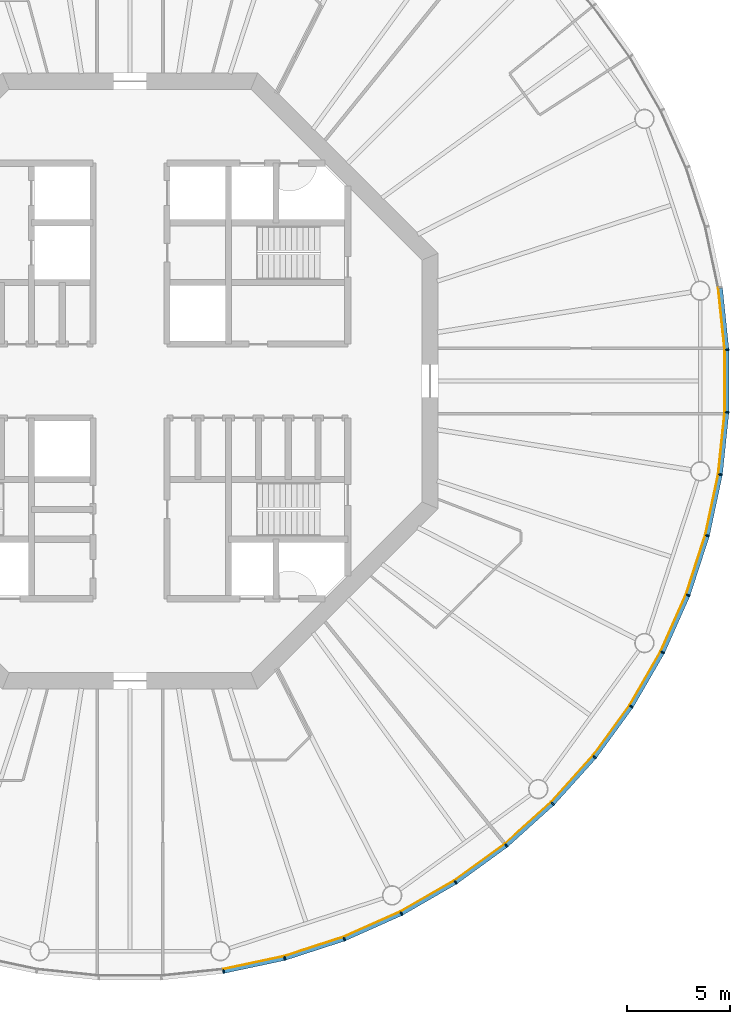
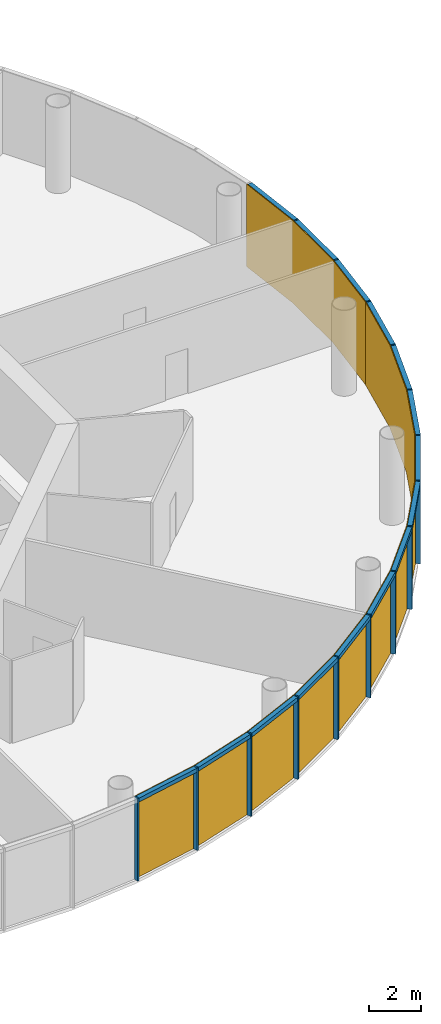
# One storey, part 9 of 13: 30 members, 5 curtain walls.
"""IFC4 building model written with IfcOpenShell, lengths in metres."""

from ifc_helpers import new_model, si_unit, direction, frame, origin, origin_2d, place, context, subcontext, project, spatial, polyline, rectangle, outline, extrude, material, layer, layer_set, material_profile, profile_set, type_object, element, aggregate, save


model = new_model("IFC4")

# Units and contexts
model_context = context("Model", 3, precision=1e-05, world=origin(), true_north=direction((0.0, 1.0)))
body_context = subcontext(model_context, "Body", "Model", "MODEL_VIEW")
ifc_project = project(units=[si_unit("LENGTHUNIT", "METRE"), si_unit("AREAUNIT", "SQUARE_METRE"), si_unit("VOLUMEUNIT", "CUBIC_METRE"), si_unit("PLANEANGLEUNIT", "RADIAN"), si_unit("MASSUNIT", "GRAM", prefix="KILO")], contexts=[model_context])

# Member
ifc_material_1 = material(Name="Anodised aluminium", Category="aluminium")
ifc_material_profile_1 = material_profile(ifc_material_1, rectangle(XDim=0.06494140625, YDim=0.195068359375, at=origin_2d()), Name="Mullion 65 x 195 mm anodised aluminium")
ifc_profile_set_1 = profile_set([ifc_material_profile_1], Name="Anodised aluminium")
member_type_1 = type_object("IfcMemberType", Name="Mullion 65 x 195 mm anodised aluminium", PredefinedType="MULLION", material=ifc_profile_set_1)
site_placement = place(None, origin())
building_placement = place(site_placement, origin())
storey_placement = place(building_placement, frame((0.0, 0.0, 286.0)))
member_1_placement = place(storey_placement, frame((94.5517578125, 51.2607421875, 0.0), z_axis=(0.0, 0.0, 1.0), x_axis=(0.987688340595, 0.15643446504, 0.0)))
member_1 = element("IfcMember", 1, at=member_1_placement, type_object=member_type_1, Name="MULLION L65-45", PredefinedType="MULLION", context=body_context, shape_type="SweptSolid", body=[
    extrude(rectangle(XDim=0.06494140625, YDim=0.195068359375, at=origin_2d()), origin(), (0.0, 0.0, 1.0), 3.85009765625),
])

member_2_placement = place(storey_placement, frame((97.531005859375, 51.89404296875, 0.0), z_axis=(0.0, 0.0, 1.0), x_axis=(0.965925826289, 0.258819045103, 0.0)))
member_2 = element("IfcMember", 2, at=member_2_placement, type_object=member_type_1, Name="MULLION L65-46", PredefinedType="MULLION", context=body_context, shape_type="SweptSolid", body=[
    extrude(rectangle(XDim=0.06494140625, YDim=0.195068359375, at=origin_2d()), origin(), (0.0, 0.0, 1.0), 3.85009765625),
])

member_3_placement = place(storey_placement, frame((100.427490234375, 52.835205078125, 0.0), z_axis=(0.0, 0.0, 1.0), x_axis=(0.933580426497, 0.358367949545, 0.0)))
member_3 = element("IfcMember", 3, at=member_3_placement, type_object=member_type_1, Name="MULLION L65-47", PredefinedType="MULLION", context=body_context, shape_type="SweptSolid", body=[
    extrude(rectangle(XDim=0.06494140625, YDim=0.195068359375, at=origin_2d()), origin(), (0.0, 0.0, 1.0), 3.85009765625),
])

member_4_placement = place(storey_placement, frame((103.2099609375, 54.073974609375, 0.0), z_axis=(0.0, 0.0, 1.0), x_axis=(0.891006524188, 0.45399049974, 0.0)))
member_4 = element("IfcMember", 4, at=member_4_placement, type_object=member_type_1, Name="MULLION L65-48", PredefinedType="MULLION", context=body_context, shape_type="SweptSolid", body=[
    extrude(rectangle(XDim=0.06494140625, YDim=0.195068359375, at=origin_2d()), origin(), (0.0, 0.0, 1.0), 3.85009765625),
])

member_5_placement = place(storey_placement, frame((105.84765625, 55.5966796875, 0.0), z_axis=(0.0, 0.0, 1.0), x_axis=(0.838670567945, 0.544639035015, 0.0)))
member_5 = element("IfcMember", 5, at=member_5_placement, type_object=member_type_1, Name="MULLION L65-49", PredefinedType="MULLION", context=body_context, shape_type="SweptSolid", body=[
    extrude(rectangle(XDim=0.06494140625, YDim=0.195068359375, at=origin_2d()), origin(), (0.0, 0.0, 1.0), 3.85009765625),
])

member_6_placement = place(storey_placement, frame((108.311767578125, 57.386962890625, 0.0), z_axis=(0.0, 0.0, 1.0), x_axis=(0.777145961457, 0.62932039105, 0.0)))
member_6 = element("IfcMember", 6, at=member_6_placement, type_object=member_type_1, Name="MULLION L65-50", PredefinedType="MULLION", context=body_context, shape_type="SweptSolid", body=[
    extrude(rectangle(XDim=0.06494140625, YDim=0.195068359375, at=origin_2d()), origin(), (0.0, 0.0, 1.0), 3.85009765625),
])

member_7_placement = place(storey_placement, frame((110.574951171875, 59.425048828125, 0.0), z_axis=(0.0, 0.0, 1.0), x_axis=(0.707106781187, 0.707106781187, 0.0)))
member_7 = element("IfcMember", 7, at=member_7_placement, type_object=member_type_1, Name="MULLION L65-51", PredefinedType="MULLION", context=body_context, shape_type="SweptSolid", body=[
    extrude(rectangle(XDim=0.06494140625, YDim=0.195068359375, at=origin_2d()), origin(), (0.0, 0.0, 1.0), 3.85009765625),
])

member_8_placement = place(storey_placement, frame((112.613037109375, 61.688232421875, 0.0), z_axis=(0.0, 0.0, 1.0), x_axis=(0.62932039105, 0.777145961457, 0.0)))
member_8 = element("IfcMember", 8, at=member_8_placement, type_object=member_type_1, Name="MULLION L65-52", PredefinedType="MULLION", context=body_context, shape_type="SweptSolid", body=[
    extrude(rectangle(XDim=0.06494140625, YDim=0.195068359375, at=origin_2d()), origin(), (0.0, 0.0, 1.0), 3.85009765625),
])

member_9_placement = place(storey_placement, frame((114.4033203125, 64.15234375, 0.0), z_axis=(0.0, 0.0, 1.0), x_axis=(0.544639035015, 0.838670567945, 0.0)))
member_9 = element("IfcMember", 9, at=member_9_placement, type_object=member_type_1, Name="MULLION L65-53", PredefinedType="MULLION", context=body_context, shape_type="SweptSolid", body=[
    extrude(rectangle(XDim=0.06494140625, YDim=0.195068359375, at=origin_2d()), origin(), (0.0, 0.0, 1.0), 3.85009765625),
])

member_10_placement = place(storey_placement, frame((115.926025390625, 66.7900390625, 0.0), z_axis=(0.0, 0.0, 1.0), x_axis=(0.45399049974, 0.891006524188, 0.0)))
member_10 = element("IfcMember", 10, at=member_10_placement, type_object=member_type_1, Name="MULLION L65-54", PredefinedType="MULLION", context=body_context, shape_type="SweptSolid", body=[
    extrude(rectangle(XDim=0.06494140625, YDim=0.195068359375, at=origin_2d()), origin(), (0.0, 0.0, 1.0), 3.85009765625),
])

member_11_placement = place(storey_placement, frame((117.164794921875, 69.572509765625, 0.0), z_axis=(0.0, 0.0, 1.0), x_axis=(0.358367949545, 0.933580426497, 0.0)))
member_11 = element("IfcMember", 11, at=member_11_placement, type_object=member_type_1, Name="MULLION L65-55", PredefinedType="MULLION", context=body_context, shape_type="SweptSolid", body=[
    extrude(rectangle(XDim=0.06494140625, YDim=0.195068359375, at=origin_2d()), origin(), (0.0, 0.0, 1.0), 3.85009765625),
])

member_12_placement = place(storey_placement, frame((118.10595703125, 72.468994140625, 0.0), z_axis=(0.0, 0.0, 1.0), x_axis=(0.258819045103, 0.965925826289, 0.0)))
member_12 = element("IfcMember", 12, at=member_12_placement, type_object=member_type_1, Name="MULLION L65-56", PredefinedType="MULLION", context=body_context, shape_type="SweptSolid", body=[
    extrude(rectangle(XDim=0.06494140625, YDim=0.195068359375, at=origin_2d()), origin(), (0.0, 0.0, 1.0), 3.85009765625),
])

member_13_placement = place(storey_placement, frame((118.7392578125, 75.4482421875, 0.0), z_axis=(0.0, 0.0, 1.0), x_axis=(0.15643446504, 0.987688340595, 0.0)))
member_13 = element("IfcMember", 13, at=member_13_placement, type_object=member_type_1, Name="MULLION L65-57", PredefinedType="MULLION", context=body_context, shape_type="SweptSolid", body=[
    extrude(rectangle(XDim=0.06494140625, YDim=0.195068359375, at=origin_2d()), origin(), (0.0, 0.0, 1.0), 3.85009765625),
])

member_14_placement = place(storey_placement, frame((119.0576171875, 78.47705078125, 0.0), z_axis=(0.0, 0.0, 1.0), x_axis=(0.052335956243, 0.998629534755, 0.0)))
member_14 = element("IfcMember", 14, at=member_14_placement, type_object=member_type_1, Name="MULLION L65-58", PredefinedType="MULLION", context=body_context, shape_type="SweptSolid", body=[
    extrude(rectangle(XDim=0.06494140625, YDim=0.195068359375, at=origin_2d()), origin(), (0.0, 0.0, 1.0), 3.85009765625),
])

member_15_placement = place(storey_placement, frame((119.0576171875, 81.52294921875, 0.0), z_axis=(0.0, 0.0, 1.0), x_axis=(-0.052335956243, 0.998629534755, 0.0)))
member_15 = element("IfcMember", 15, at=member_15_placement, type_object=member_type_1, Name="MULLION L65-59", PredefinedType="MULLION", context=body_context, shape_type="SweptSolid", body=[
    extrude(rectangle(XDim=0.06494140625, YDim=0.195068359375, at=origin_2d()), origin(), (0.0, 0.0, 1.0), 3.85009765625),
])

ifc_material_2 = material(Name="Anodised aluminium", Category="aluminium")
ifc_material_profile_2 = material_profile(ifc_material_2, rectangle(XDim=0.195068359375, YDim=0.179931640625, at=origin_2d()), Name="Transom 180 x 195 mm anodised aluminium")
ifc_profile_set_2 = profile_set([ifc_material_profile_2], Name="Anodised aluminium")
member_type_2 = type_object("IfcMemberType", Name="Transom 180 x 195 mm anodised aluminium", PredefinedType="USERDEFINED", material=ifc_profile_set_2)
member_16_placement = place(storey_placement, frame((94.588623046875, 51.268310546875, 3.760009765625), z_axis=(0.978141510112, 0.207940342877, 0.0), x_axis=(-0.207940342877, 0.978141510112, 0.0)))
member_16 = element("IfcMember", 16, at=member_16_placement, type_object=member_type_2, Name="TRANSOM L65-45", ObjectType="TRANSOM", PredefinedType="USERDEFINED", context=body_context, shape_type="SweptSolid", body=[
    extrude(rectangle(XDim=0.195068359375, YDim=0.179931640625, at=origin_2d()), origin(), (0.0, 0.0, 1.0), 2.970458984375),
])

member_17_placement = place(storey_placement, frame((97.56689453125, 51.905517578125, 3.760009765625), z_axis=(0.951047960094, 0.309043326415, 0.0), x_axis=(-0.309043326415, 0.951047960094, 0.0)))
member_17 = element("IfcMember", 17, at=member_17_placement, type_object=member_type_2, Name="TRANSOM L65-46", ObjectType="TRANSOM", PredefinedType="USERDEFINED", context=body_context, shape_type="SweptSolid", body=[
    extrude(rectangle(XDim=0.195068359375, YDim=0.179931640625, at=origin_2d()), origin(), (0.0, 0.0, 1.0), 2.970458984375),
])

member_18_placement = place(storey_placement, frame((100.4619140625, 52.850341796875, 3.760009765625), z_axis=(0.913550406593, 0.406725527369, 0.0), x_axis=(-0.406725527369, 0.913550406593, 0.0)))
member_18 = element("IfcMember", 18, at=member_18_placement, type_object=member_type_2, Name="TRANSOM L65-47", ObjectType="TRANSOM", PredefinedType="USERDEFINED", context=body_context, shape_type="SweptSolid", body=[
    extrude(rectangle(XDim=0.195068359375, YDim=0.179931640625, at=origin_2d()), origin(), (0.0, 0.0, 1.0), 2.970703125),
])

member_19_placement = place(storey_placement, frame((103.24267578125, 54.092529296875, 3.760009765625), z_axis=(0.866009025146, 0.500028367561, 0.0), x_axis=(-0.500028367561, 0.866009025146, 0.0)))
member_19 = element("IfcMember", 19, at=member_19_placement, type_object=member_type_2, Name="TRANSOM L65-48", ObjectType="TRANSOM", PredefinedType="USERDEFINED", context=body_context, shape_type="SweptSolid", body=[
    extrude(rectangle(XDim=0.195068359375, YDim=0.179931640625, at=origin_2d()), origin(), (0.0, 0.0, 1.0), 2.970458984375),
])

member_20_placement = place(storey_placement, frame((105.878173828125, 55.618896484375, 3.760009765625), z_axis=(0.809030990733, 0.587765987476, 0.0), x_axis=(-0.587765987476, 0.809030990733, 0.0)))
member_20 = element("IfcMember", 20, at=member_20_placement, type_object=member_type_2, Name="TRANSOM L65-49", ObjectType="TRANSOM", PredefinedType="USERDEFINED", context=body_context, shape_type="SweptSolid", body=[
    extrude(rectangle(XDim=0.195068359375, YDim=0.179931640625, at=origin_2d()), origin(), (0.0, 0.0, 1.0), 2.97021484375),
])

member_21_placement = place(storey_placement, frame((108.339599609375, 57.412109375, 3.760009765625), z_axis=(0.743163354343, 0.669110027395, 0.0), x_axis=(-0.669110027395, 0.743163354343, 0.0)))
member_21 = element("IfcMember", 21, at=member_21_placement, type_object=member_type_2, Name="TRANSOM L65-50", ObjectType="TRANSOM", PredefinedType="USERDEFINED", context=body_context, shape_type="SweptSolid", body=[
    extrude(rectangle(XDim=0.195068359375, YDim=0.179931640625, at=origin_2d()), origin(), (0.0, 0.0, 1.0), 2.970458984375),
])

member_22_placement = place(storey_placement, frame((110.600341796875, 59.452880859375, 3.760009765625), z_axis=(0.669110027395, 0.743163354343, 0.0), x_axis=(-0.743163354343, 0.669110027395, 0.0)))
member_22 = element("IfcMember", 22, at=member_22_placement, type_object=member_type_2, Name="TRANSOM L65-51", ObjectType="TRANSOM", PredefinedType="USERDEFINED", context=body_context, shape_type="SweptSolid", body=[
    extrude(rectangle(XDim=0.195068359375, YDim=0.179931640625, at=origin_2d()), origin(), (0.0, 0.0, 1.0), 2.970458984375),
])

member_23_placement = place(storey_placement, frame((112.63525390625, 61.71875, 3.760009765625), z_axis=(0.587765987476, 0.809030990733, 0.0), x_axis=(-0.809030990733, 0.587765987476, 0.0)))
member_23 = element("IfcMember", 23, at=member_23_placement, type_object=member_type_2, Name="TRANSOM L65-52", ObjectType="TRANSOM", PredefinedType="USERDEFINED", context=body_context, shape_type="SweptSolid", body=[
    extrude(rectangle(XDim=0.195068359375, YDim=0.179931640625, at=origin_2d()), origin(), (0.0, 0.0, 1.0), 2.97021484375),
])

member_24_placement = place(storey_placement, frame((114.422119140625, 64.184814453125, 3.760009765625), z_axis=(0.500028367561, 0.866009025146, 0.0), x_axis=(-0.866009025146, 0.500028367561, 0.0)))
member_24 = element("IfcMember", 24, at=member_24_placement, type_object=member_type_2, Name="TRANSOM L65-53", ObjectType="TRANSOM", PredefinedType="USERDEFINED", context=body_context, shape_type="SweptSolid", body=[
    extrude(rectangle(XDim=0.195068359375, YDim=0.179931640625, at=origin_2d()), origin(), (0.0, 0.0, 1.0), 2.970458984375),
])

member_25_placement = place(storey_placement, frame((115.94140625, 66.82421875, 3.760009765625), z_axis=(0.406725527369, 0.913550406593, 0.0), x_axis=(-0.913550406593, 0.406725527369, 0.0)))
member_25 = element("IfcMember", 25, at=member_25_placement, type_object=member_type_2, Name="TRANSOM L65-54", ObjectType="TRANSOM", PredefinedType="USERDEFINED", context=body_context, shape_type="SweptSolid", body=[
    extrude(rectangle(XDim=0.195068359375, YDim=0.179931640625, at=origin_2d()), origin(), (0.0, 0.0, 1.0), 2.970703125),
])

member_26_placement = place(storey_placement, frame((117.176513671875, 69.608154296875, 3.760009765625), z_axis=(0.309043326415, 0.951047960094, 0.0), x_axis=(-0.951047960094, 0.309043326415, 0.0)))
member_26 = element("IfcMember", 26, at=member_26_placement, type_object=member_type_2, Name="TRANSOM L65-55", ObjectType="TRANSOM", PredefinedType="USERDEFINED", context=body_context, shape_type="SweptSolid", body=[
    extrude(rectangle(XDim=0.195068359375, YDim=0.179931640625, at=origin_2d()), origin(), (0.0, 0.0, 1.0), 2.970458984375),
])

member_27_placement = place(storey_placement, frame((118.114013671875, 72.505859375, 3.760009765625), z_axis=(0.207940342877, 0.978141510112, 0.0), x_axis=(-0.978141510112, 0.207940342877, 0.0)))
member_27 = element("IfcMember", 27, at=member_27_placement, type_object=member_type_2, Name="TRANSOM L65-56", ObjectType="TRANSOM", PredefinedType="USERDEFINED", context=body_context, shape_type="SweptSolid", body=[
    extrude(rectangle(XDim=0.195068359375, YDim=0.179931640625, at=origin_2d()), origin(), (0.0, 0.0, 1.0), 2.970458984375),
])

member_28_placement = place(storey_placement, frame((118.743408203125, 75.485595703125, 3.760009765625), z_axis=(0.104466577987, 0.994528397827, 0.0), x_axis=(-0.994528397827, 0.104466577987, 0.0)))
member_28 = element("IfcMember", 28, at=member_28_placement, type_object=member_type_2, Name="TRANSOM L65-57", ObjectType="TRANSOM", PredefinedType="USERDEFINED", context=body_context, shape_type="SweptSolid", body=[
    extrude(rectangle(XDim=0.195068359375, YDim=0.179931640625, at=origin_2d()), origin(), (0.0, 0.0, 1.0), 2.970458984375),
])

member_29_placement = place(storey_placement, frame((119.057861328125, 78.5146484375, 3.760009765625), z_axis=(0.0, 1.0, 0.0), x_axis=(-1.0, 0.0, 0.0)))
member_29 = element("IfcMember", 29, at=member_29_placement, type_object=member_type_2, Name="TRANSOM L65-58", ObjectType="TRANSOM", PredefinedType="USERDEFINED", context=body_context, shape_type="SweptSolid", body=[
    extrude(rectangle(XDim=0.195068359375, YDim=0.179931640625, at=origin_2d()), origin(), (0.0, 0.0, 1.0), 2.970703125),
])

member_30_placement = place(storey_placement, frame((119.0537109375, 81.560302734375, 3.760009765625), z_axis=(-0.104466577987, 0.994528397827, 0.0), x_axis=(-0.994528397827, -0.104466577987, 0.0)))
member_30 = element("IfcMember", 30, at=member_30_placement, type_object=member_type_2, Name="TRANSOM L65-59", ObjectType="TRANSOM", PredefinedType="USERDEFINED", context=body_context, shape_type="SweptSolid", body=[
    extrude(rectangle(XDim=0.195068359375, YDim=0.179931640625, at=origin_2d()), origin(), (0.0, 0.0, 1.0), 2.970458984375),
])

# Site, building, storey
site = spatial("IfcSite", under=ifc_project, at=site_placement, CompositionType="ELEMENT")
building = spatial("IfcBuilding", under=site, at=building_placement, Name="Entoto Ring Tower", CompositionType="ELEMENT")
storey = spatial("IfcBuildingStorey", under=building, at=storey_placement, Name="L65", CompositionType="ELEMENT", Elevation=286.0)

# Curtain wall
ifc_material_3 = material(Name="Clear low-iron glass", Category="glass")
ifc_layer = layer(ifc_material_3, 0.033935546875)
ifc_layer_set = layer_set([ifc_layer], Name="Clear low-iron glass")
curtain_wall_type = type_object("IfcCurtainWallType", Name="Curtain wall system CW5 glazing 34 mm", PredefinedType="NOTDEFINED", material=ifc_layer_set)
curtain_wall_1_placement = place(storey_placement, origin())
curtain_wall_1 = element("IfcCurtainWall", 31, at=curtain_wall_1_placement, inside=storey, type_object=curtain_wall_type, Name="CW5 L65-16", PredefinedType="NOTDEFINED", context=body_context, shape_type="SweptSolid", body=[
    extrude(outline(polyline([(94.53662109375, 51.35693359375), (97.505859375, 51.988037109375), (100.392578125, 52.92626953125), (103.165771484375, 54.160888671875), (103.150146484375, 54.191162109375), (100.38037109375, 52.9580078125), (97.496826171875, 52.02099609375), (94.53125, 51.390625), (94.53662109375, 51.35693359375)])), origin(), (0.0, 0.0, 1.0), 3.85009765625),
])

aggregate(curtain_wall_1, [member_1, member_2, member_3, member_16, member_17, member_18])

curtain_wall_2_placement = place(storey_placement, origin())
curtain_wall_2 = element("IfcCurtainWall", 32, at=curtain_wall_2_placement, inside=storey, type_object=curtain_wall_type, Name="CW5 L65-17", PredefinedType="NOTDEFINED", context=body_context, shape_type="SweptSolid", body=[
    extrude(outline(polyline([(103.165771484375, 54.160888671875), (105.79443359375, 55.678466796875), (108.250244140625, 57.462646484375), (110.506103515625, 59.493896484375), (110.48193359375, 59.51806640625), (108.228759765625, 57.4892578125), (105.77587890625, 55.70703125), (103.150146484375, 54.191162109375), (103.165771484375, 54.160888671875)])), origin(), (0.0, 0.0, 1.0), 3.85009765625),
])

aggregate(curtain_wall_2, [member_4, member_5, member_6, member_19, member_20, member_21])

curtain_wall_3_placement = place(storey_placement, origin())
curtain_wall_3 = element("IfcCurtainWall", 33, at=curtain_wall_3_placement, inside=storey, type_object=curtain_wall_type, Name="CW5 L65-18", PredefinedType="NOTDEFINED", context=body_context, shape_type="SweptSolid", body=[
    extrude(outline(polyline([(110.506103515625, 59.493896484375), (112.537353515625, 61.749755859375), (114.321533203125, 64.20556640625), (115.839111328125, 66.834228515625), (115.808837890625, 66.849853515625), (114.29296875, 64.22412109375), (112.5107421875, 61.771240234375), (110.48193359375, 59.51806640625), (110.506103515625, 59.493896484375)])), origin(), (0.0, 0.0, 1.0), 3.85009765625),
])

aggregate(curtain_wall_3, [member_7, member_8, member_9, member_22, member_23, member_24])

curtain_wall_4_placement = place(storey_placement, origin())
curtain_wall_4 = element("IfcCurtainWall", 34, at=curtain_wall_4_placement, inside=storey, type_object=curtain_wall_type, Name="CW5 L65-19", PredefinedType="NOTDEFINED", context=body_context, shape_type="SweptSolid", body=[
    extrude(outline(polyline([(115.839111328125, 66.834228515625), (117.07373046875, 69.607421875), (118.011962890625, 72.494140625), (118.64306640625, 75.46337890625), (118.609375, 75.46875), (117.97900390625, 72.503173828125), (117.0419921875, 69.61962890625), (115.808837890625, 66.849853515625), (115.839111328125, 66.834228515625)])), origin(), (0.0, 0.0, 1.0), 3.85009765625),
])

aggregate(curtain_wall_4, [member_10, member_11, member_12, member_25, member_26, member_27])

curtain_wall_5_placement = place(storey_placement, origin())
curtain_wall_5 = element("IfcCurtainWall", 35, at=curtain_wall_5_placement, inside=storey, type_object=curtain_wall_type, Name="CW5 L65-20", PredefinedType="NOTDEFINED", context=body_context, shape_type="SweptSolid", body=[
    extrude(outline(polyline([(118.64306640625, 75.46337890625), (118.960205078125, 78.482177734375), (118.960205078125, 81.517822265625), (118.64306640625, 84.53662109375), (118.609375, 84.53125), (118.92626953125, 81.515869140625), (118.92626953125, 78.484130859375), (118.609375, 75.46875), (118.64306640625, 75.46337890625)])), origin(), (0.0, 0.0, 1.0), 3.85009765625),
])

aggregate(curtain_wall_5, [member_13, member_14, member_15, member_28, member_29, member_30])

save(model, "model.ifc")
